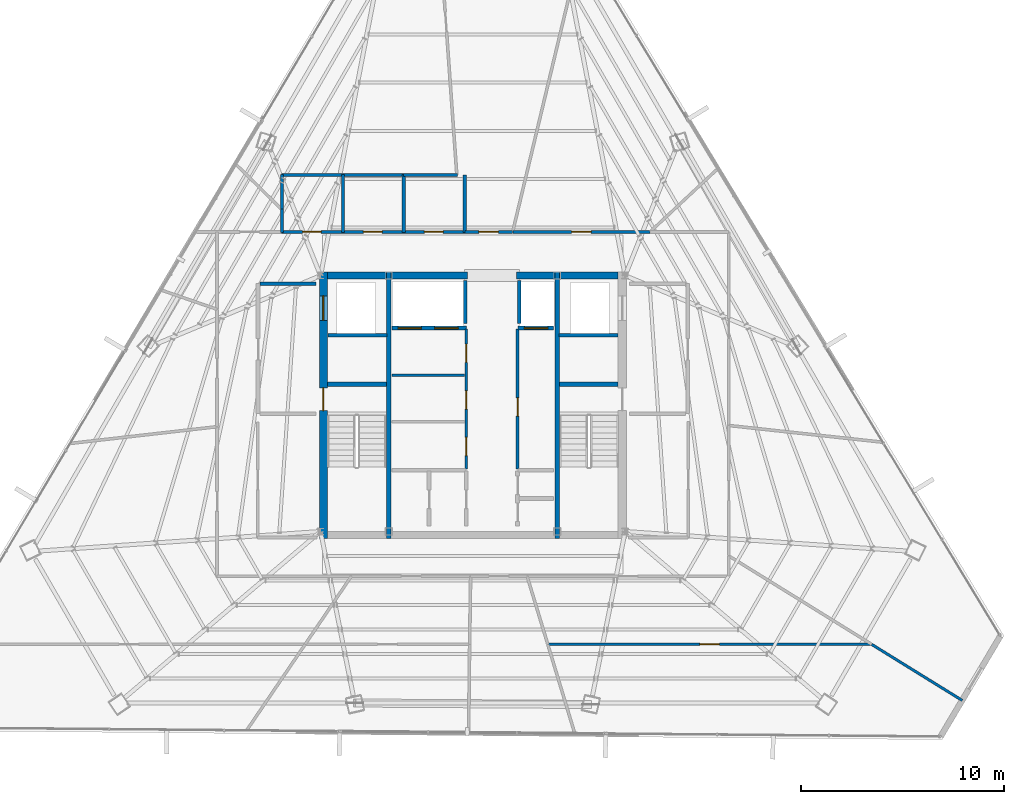
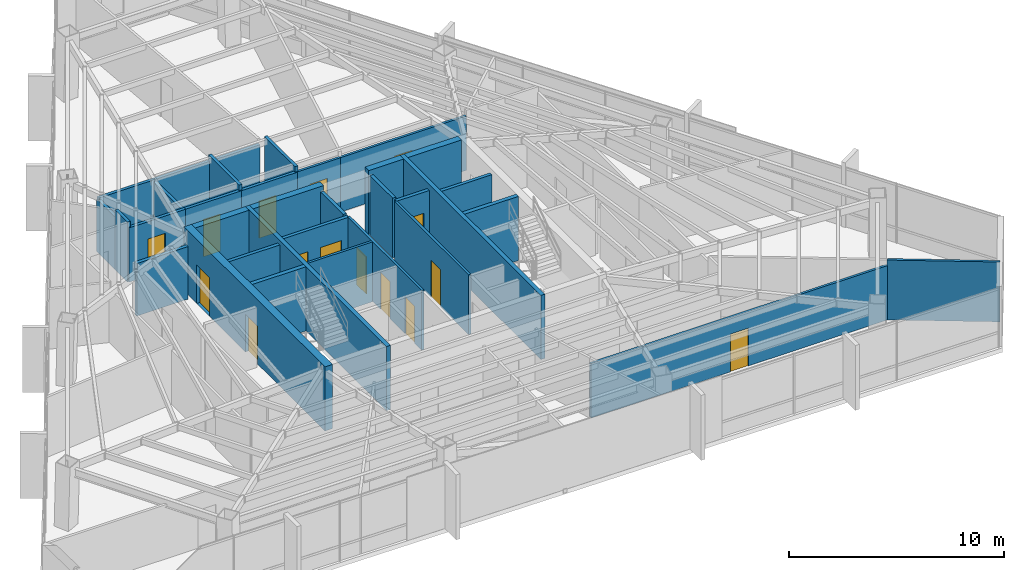
# One storey, part 45 of 49: 34 walls, 15 doors, 15 openings.
"""IFC4 building model written with IfcOpenShell, lengths in metres."""

import ifcopenshell
import ifcopenshell.guid

model = None  # the IFC model being written
_history = None  # IfcOwnerHistory: only IFC2X3 demands one
_inside = {}  # id of a spatial element -> (the spatial element, [elements in it])
_under = {}  # id of a project, library or spatial element -> (it, [spatial elements below it])
_declared = {}  # id of a project -> (the project, [libraries it declares])
_typed = {}  # id of a type object -> (the type object, [elements of that type])
_made_of = {}  # id of a material, layer set ... -> (it, [elements and type objects made of it])


def new_model(schema):
    """Start an empty IFC model of exactly this schema.

    Asked for "IFC4X3", IfcOpenShell would pick the latest addendum, in which some entities
    have other attributes; the version numbers below select the first issue.
    IFC2X3 requires an IfcOwnerHistory on every rooted entity: one is made here for all.
    """
    global model, _history
    if schema == "IFC4X3":
        model = ifcopenshell.file(schema_version=(4, 3, 0, 0))
    else:
        model = ifcopenshell.file(schema=schema)
    _inside.clear()
    _under.clear()
    _declared.clear()
    _typed.clear()
    _made_of.clear()
    _history = None
    if model.schema == "IFC2X3":
        org = make("IfcOrganization", Name="unknown")
        user = make(
            "IfcPersonAndOrganization",
            ThePerson=make("IfcPerson", FamilyName="unknown"),
            TheOrganization=org,
        )
        app = make(
            "IfcApplication",
            ApplicationDeveloper=org,
            Version="unknown",
            ApplicationFullName="unknown",
            ApplicationIdentifier="unknown",
        )
        _history = make(
            "IfcOwnerHistory",
            OwningUser=user,
            OwningApplication=app,
            ChangeAction="ADDED",
            CreationDate=0,
        )
    return model


def make(cls, **values):
    """One entity of the class cls with the attributes given. An attribute that is None is left unset."""
    return model.create_entity(
        cls, **{name: value for name, value in values.items() if value is not None}
    )


def rooted(cls, **values):
    """An entity with a GlobalId (a new one), such as an element, a storey or a relation."""
    return make(cls, GlobalId=ifcopenshell.guid.new(), OwnerHistory=_history, **values)


def si_unit(unit_type, name, prefix=None):
    """IfcSIUnit, for example si_unit("LENGTHUNIT", "METRE", prefix="MILLI")."""
    return make("IfcSIUnit", UnitType=unit_type, Prefix=prefix, Name=name)


def assignment(units):
    """IfcUnitAssignment: the units of a project."""
    return None if units is None else make("IfcUnitAssignment", Units=units)


def point(xyz):
    """IfcCartesianPoint."""
    return None if xyz is None else make("IfcCartesianPoint", Coordinates=xyz)


def direction(xyz):
    """IfcDirection."""
    return None if xyz is None else make("IfcDirection", DirectionRatios=xyz)


def frame(location, z_axis=None, x_axis=None):
    """IfcAxis2Placement3D, a coordinate frame: its origin and axes. An axis left out is left unset."""
    return make(
        "IfcAxis2Placement3D",
        Location=point(location),
        Axis=direction(z_axis),
        RefDirection=direction(x_axis),
    )


def frame_2d(location, x_axis=None):
    """IfcAxis2Placement2D, a coordinate frame in the plane: its origin and x axis."""
    return make(
        "IfcAxis2Placement2D", Location=point(location), RefDirection=direction(x_axis)
    )


def origin():
    """The frame at (0, 0, 0) with its axes left unset."""
    return frame((0.0, 0.0, 0.0))


def place(relative_to, where):
    """IfcLocalPlacement: puts the frame where relative to a parent placement (None: the world)."""
    return make(
        "IfcLocalPlacement", PlacementRelTo=relative_to, RelativePlacement=where
    )


def context(
    kind, dimensions, precision=None, world=None, true_north=None, identifier=None
):
    """IfcGeometricRepresentationContext, for example the 3D "Model" context."""
    return make(
        "IfcGeometricRepresentationContext",
        ContextIdentifier=identifier,
        ContextType=kind,
        CoordinateSpaceDimension=dimensions,
        Precision=precision,
        WorldCoordinateSystem=world,
        TrueNorth=true_north,
    )


def subcontext(parent, identifier, kind, view, scale=None):
    """IfcGeometricRepresentationSubContext, for example "Body" below "Model"."""
    return make(
        "IfcGeometricRepresentationSubContext",
        ContextIdentifier=identifier,
        ContextType=kind,
        ParentContext=parent,
        TargetScale=scale,
        TargetView=view,
    )


def project(units=None, contexts=None):
    """IfcProject with its units and contexts."""
    return rooted(
        "IfcProject",
        Name="project",
        RepresentationContexts=contexts,
        UnitsInContext=assignment(units),
    )


def spatial(cls, under=None, at=None, **own):
    """A site, building, storey or space (cls), placed at a placement, below another one or the project."""
    s = rooted(cls, ObjectPlacement=at, **own)
    if under is not None:
        _under.setdefault(under.id(), (under, []))[1].append(s)
    return s


def profile(cls, at=None, kind="AREA", **sizes):
    """A parametric profile (cls). Its sizes go by their IFC names, for example OverallWidth=200.0."""
    return make(cls, ProfileType=kind, Position=at, **sizes)


def rectangle(**sizes):
    """IfcRectangleProfileDef."""
    return profile("IfcRectangleProfileDef", **sizes)


def extrude(swept, where, along, depth):
    """IfcExtrudedAreaSolid: the profile swept, set in the frame where, extruded along a direction by depth."""
    return make(
        "IfcExtrudedAreaSolid",
        SweptArea=swept,
        Position=where,
        ExtrudedDirection=direction(along),
        Depth=depth,
    )


def shape(context_of_items, identifier, shape_type, items):
    """IfcShapeRepresentation: the items that make up one representation, for example the "Body"."""
    return make(
        "IfcShapeRepresentation",
        ContextOfItems=context_of_items,
        RepresentationIdentifier=identifier,
        RepresentationType=shape_type,
        Items=items,
    )


def material(Name=None, Category=None):
    """IfcMaterial."""
    return make("IfcMaterial", Name=Name, Category=Category)


def layer(
    of_material, thickness, ventilated=None, Name=None, Category=None, Priority=None
):
    """IfcMaterialLayer: one layer of a wall or slab, of a material (None: an air gap)."""
    return make(
        "IfcMaterialLayer",
        Material=of_material,
        LayerThickness=thickness,
        IsVentilated=ventilated,
        Name=Name,
        Category=Category,
        Priority=Priority,
    )


def layer_set(layers, Name=None):
    """IfcMaterialLayerSet."""
    return make("IfcMaterialLayerSet", MaterialLayers=layers, LayerSetName=Name)


def made_of(thing, what):
    """Note that an element or type object is made of a material, layer set ...; save() writes the relation."""
    if what is not None:
        _made_of.setdefault(what.id(), (what, []))[1].append(thing)
    return thing


def type_object(cls, material=None, **own):
    """A type object (cls), such as IfcWallType, which elements share."""
    return made_of(rooted(cls, **own), material)


def element(
    cls,
    number,
    at=None,
    inside=None,
    cuts=None,
    type_object=None,
    material=None,
    context=None,
    identifier="Body",
    shape_type=None,
    held_by="IfcProductDefinitionShape",
    body=None,
    shapes=None,
    **own,
):
    """One element of the class cls, such as IfcWall. Its Tag is "e" and its number.

    at: its placement. inside: the storey or other place that contains it. cuts: it is an
    opening in that element (IfcRelVoidsElement). A single representation is given by context,
    identifier, shape_type and body (its items); several are given by shapes. held_by: the class
    of the entity that holds the representations. save() writes the other relations.
    """
    e = rooted(cls, Tag="e%d" % number, ObjectPlacement=at, **own)
    if body is not None:
        shapes = [shape(context, identifier, shape_type, body)]
    if shapes is not None:
        e.Representation = make(held_by, Representations=shapes)
    if inside is not None:
        _inside.setdefault(inside.id(), (inside, []))[1].append(e)
    if cuts is not None:
        rooted(
            "IfcRelVoidsElement", RelatingBuildingElement=cuts, RelatedOpeningElement=e
        )
    if type_object is not None:
        _typed.setdefault(type_object.id(), (type_object, []))[1].append(e)
    return made_of(e, material)


def fill(opening, filler):
    """IfcRelFillsElement: the door or window that sits in an opening."""
    return rooted(
        "IfcRelFillsElement",
        RelatingOpeningElement=opening,
        RelatedBuildingElement=filler,
    )


def aggregate(whole, parts):
    """IfcRelAggregates: a whole, such as a stair, and the parts it consists of."""
    return rooted("IfcRelAggregates", RelatingObject=whole, RelatedObjects=parts)


def save(model, path):
    """Write the relations noted so far, then the file.

    IfcRelAggregates (storeys below a building ...), IfcRelContainedInSpatialStructure (elements
    in a storey), IfcRelDefinesByType, IfcRelAssociatesMaterial and IfcRelDeclares: one each for
    every whole, place, type object, material and project.
    """
    for whole, parts in _under.values():
        aggregate(whole, parts)
    for where, things in _inside.values():
        rooted(
            "IfcRelContainedInSpatialStructure",
            RelatedElements=things,
            RelatingStructure=where,
        )
    for kind, things in _typed.values():
        rooted("IfcRelDefinesByType", RelatedObjects=things, RelatingType=kind)
    for what, things in _made_of.values():
        rooted("IfcRelAssociatesMaterial", RelatedObjects=things, RelatingMaterial=what)
    for by, libraries in _declared.values():
        rooted("IfcRelDeclares", RelatingContext=by, RelatedDefinitions=libraries)
    model.write(path)


model = new_model("IFC4")

# Units and contexts
model_context = context("Model", 3, precision=1e-05, world=origin(), true_north=direction((0.0, 1.0)))
body_context = subcontext(model_context, "Body", "Model", "MODEL_VIEW")
ifc_project = project(units=[si_unit("LENGTHUNIT", "METRE"), si_unit("AREAUNIT", "SQUARE_METRE"), si_unit("VOLUMEUNIT", "CUBIC_METRE"), si_unit("PLANEANGLEUNIT", "RADIAN"), si_unit("MASSUNIT", "GRAM", prefix="KILO")], contexts=[model_context])

# Site, building, storey
site_placement = place(None, origin())
site = spatial("IfcSite", under=ifc_project, at=site_placement, CompositionType="ELEMENT")
building_placement = place(site_placement, origin())
building = spatial("IfcBuilding", under=site, at=building_placement, Name="Caelisora Broadcast Tower", CompositionType="ELEMENT")
storey_placement = place(building_placement, frame((0.0, 0.0, 233.5)))
storey = spatial("IfcBuildingStorey", under=building, at=storey_placement, Name="L61", CompositionType="ELEMENT", Elevation=233.5)

# Wall, openings, doors
ifc_material_1 = material(Name="Concrete 40 MPa (AS 3600 N40)", Category="concrete")
ifc_layer_1 = layer(ifc_material_1, 0.39990234375, Name="Concrete 40 MPa (AS 3600 N40)")
ifc_layer_set_1 = layer_set([ifc_layer_1], Name="Concrete 40 MPa (AS 3600 N40)")
wall_type_1 = type_object("IfcWallType", Name="CW3", PredefinedType="SHEAR", material=ifc_layer_set_1)
wall_1_placement = place(storey_placement, frame((30.639892578125, 17.050048828125, 0.0), z_axis=(0.0, 0.0, 1.0), x_axis=(0.0, 1.0, 0.0)))
wall_1 = element("IfcWall", 1, at=wall_1_placement, inside=storey, type_object=wall_type_1, Name="L61 core shear wall CW3", PredefinedType="SHEAR", context=body_context, shape_type="SweptSolid", body=[
    extrude(rectangle(XDim=13.125, YDim=0.39990234375, at=frame_2d((6.5625, 0.0))), origin(), (0.0, 0.0, 1.0), 3.64990234375),
])
opening_1_placement = place(wall_1_placement, frame((6.300048828125, 0.0, 0.0)))
opening_1 = element("IfcOpeningElement", 2, at=opening_1_placement, cuts=wall_1, Name="Opening FD04", PredefinedType="OPENING", context=body_context, shape_type="SweptSolid", body=[
    extrude(rectangle(XDim=1.1201171875, YDim=2.14990234375, at=frame_2d((0.56005859375, 1.074951171875))), frame((0.0, 0.2119140625, 0.0), z_axis=(0.0, -1.0, 0.0), x_axis=(1.0, 0.0, 0.0)), (0.0, 0.0, 1.0), 0.423828125),
])
opening_2_placement = place(wall_1_placement, frame((10.75, 0.0, 0.0)))
opening_2 = element("IfcOpeningElement", 3, at=opening_2_placement, cuts=wall_1, Name="Opening LD04", PredefinedType="OPENING", context=body_context, shape_type="SweptSolid", body=[
    extrude(rectangle(XDim=1.199951171875, YDim=2.199951171875, at=frame_2d((0.60009765625, 1.10009765625))), frame((0.0, 0.2119140625, 0.0), z_axis=(0.0, -1.0, 0.0), x_axis=(1.0, 0.0, 0.0)), (0.0, 0.0, 1.0), 0.423828125),
])
ifc_material_2 = material(Name="Pressurised Fire-Isolated Stair Door", Category="steel")
door_type_1 = type_object("IfcDoorType", Name="FD04", OperationType="NOTDEFINED", PredefinedType="DOOR", material=ifc_material_2)
door_1_placement = place(opening_1_placement, origin())
door_1 = element("IfcDoor", 4, at=door_1_placement, inside=storey, type_object=door_type_1, Name="L61 door FD04 (L61-DR-ST1)", OperationType="SINGLE_SWING_LEFT", OverallHeight=2.14990234375, OverallWidth=1.1201171875, PredefinedType="DOOR", context=body_context, shape_type="SweptSolid", body=[
    extrude(rectangle(XDim=1.1201171875, YDim=2.14990234375, at=frame_2d((0.56005859375, 1.074951171875))), frame((0.0, 0.02490234375, 0.0), z_axis=(0.0, -1.0, 0.0), x_axis=(1.0, 0.0, 0.0)), (0.0, 0.0, 1.0), 0.050048828125),
])
fill(opening_1, door_1)
ifc_material_3 = material(Name="Emergency Firefighting Lift Sliding Landing Door", Category="steel")
door_type_2 = type_object("IfcDoorType", Name="LD04", OperationType="NOTDEFINED", PredefinedType="DOOR", material=ifc_material_3)
door_2_placement = place(opening_2_placement, origin())
door_2 = element("IfcDoor", 5, at=door_2_placement, inside=storey, type_object=door_type_2, Name="L61 door LD04 (L61-LD-FFL1)", OperationType="SLIDING_TO_LEFT", OverallHeight=2.199951171875, OverallWidth=1.199951171875, PredefinedType="DOOR", context=body_context, shape_type="SweptSolid", body=[
    extrude(rectangle(XDim=1.199951171875, YDim=2.199951171875, at=frame_2d((0.60009765625, 1.10009765625))), frame((0.0, 0.02490234375, 0.0), z_axis=(0.0, -1.0, 0.0), x_axis=(1.0, 0.0, 0.0)), (0.0, 0.0, 1.0), 0.050048828125),
])
fill(opening_2, door_2)

# Walls
ifc_layer_2 = layer(ifc_material_1, 0.35009765625, Name="Concrete 40 MPa (AS 3600 N40)")
ifc_layer_set_2 = layer_set([ifc_layer_2], Name="Concrete 40 MPa (AS 3600 N40)")
wall_type_2 = type_object("IfcWallType", Name="CW6", PredefinedType="SHEAR", material=ifc_layer_set_2)
wall_2_placement = place(storey_placement, frame((30.840087890625, 30.0, 0.0), z_axis=(0.0, 0.0, 1.0), x_axis=(1.0, 0.0, 0.0)))
element("IfcWall", 6, at=wall_2_placement, inside=storey, type_object=wall_type_2, Name="L61 core shear wall CW6", PredefinedType="SHEAR", context=body_context, shape_type="SweptSolid", body=[
    extrude(rectangle(XDim=2.89990234375, YDim=0.35009765625, at=frame_2d((1.449951171875, 0.0))), origin(), (0.0, 0.0, 1.0), 3.64990234375),
])
wall_3_placement = place(storey_placement, frame((33.9599609375, 30.0, 0.0), z_axis=(0.0, 0.0, 1.0), x_axis=(1.0, 0.0, 0.0)))
element("IfcWall", 7, at=wall_3_placement, inside=storey, type_object=wall_type_2, Name="L61 core shear wall CW6", PredefinedType="SHEAR", context=body_context, shape_type="SweptSolid", body=[
    extrude(rectangle(XDim=3.780029296875, YDim=0.35009765625, at=frame_2d((1.89013671875, 0.0))), origin(), (0.0, 0.0, 1.0), 3.64990234375),
])
wall_4_placement = place(storey_placement, frame((40.159912109375, 30.0, 0.0), z_axis=(0.0, 0.0, 1.0), x_axis=(1.0, 0.0, 0.0)))
element("IfcWall", 8, at=wall_4_placement, inside=storey, type_object=wall_type_2, Name="L61 core shear wall CW6", PredefinedType="SHEAR", context=body_context, shape_type="SweptSolid", body=[
    extrude(rectangle(XDim=1.880126953125, YDim=0.35009765625, at=frame_2d((0.93994140625, 0.0))), origin(), (0.0, 0.0, 1.0), 3.64990234375),
])
wall_5_placement = place(storey_placement, frame((42.260009765625, 30.0, 0.0), z_axis=(0.0, 0.0, 1.0), x_axis=(1.0, 0.0, 0.0)))
element("IfcWall", 9, at=wall_5_placement, inside=storey, type_object=wall_type_2, Name="L61 core shear wall CW6", PredefinedType="SHEAR", context=body_context, shape_type="SweptSolid", body=[
    extrude(rectangle(XDim=2.89990234375, YDim=0.35009765625, at=frame_2d((1.449951171875, 0.0))), origin(), (0.0, 0.0, 1.0), 3.64990234375),
])
ifc_material_4 = material(Name="Concrete 50 MPa (AS 3600 S50)", Category="concrete")
ifc_layer_3 = layer(ifc_material_4, 0.219970703125, Name="Concrete 50 MPa (AS 3600 S50)")
ifc_layer_set_3 = layer_set([ifc_layer_3], Name="Concrete 50 MPa (AS 3600 S50)")
wall_type_3 = type_object("IfcWallType", Name="CW7", PredefinedType="SHEAR", material=ifc_layer_set_3)
for number, where, z_axis, x_axis, name in (
    (10, (33.85009765625, 17.050048828125, 0.0), (0.0, 0.0, 1.0), (0.0, 1.0, 0.0), "L61 core shear wall CW7"),
    (11, (42.14990234375, 17.050048828125, 0.0), (0.0, 0.0, 1.0), (0.0, 1.0, 0.0), "L61 core shear wall CW7"),
):
    element("IfcWall", number, at=place(storey_placement, frame(where, z_axis=z_axis, x_axis=x_axis)), inside=storey, type_object=wall_type_3, Name=name, PredefinedType="SHEAR", context=body_context, shape_type="SweptSolid", body=[
        extrude(rectangle(XDim=13.125, YDim=0.219970703125, at=frame_2d((6.5625, 0.0))), origin(), (0.0, 0.0, 1.0), 3.64990234375),
    ])
for number, where, z_axis, x_axis, name in (
    (12, (30.840087890625, 24.639892578125, 0.0), (0.0, 0.0, 1.0), (1.0, 0.0, 0.0), "L61 core shear wall CW7"),
    (13, (42.260009765625, 24.639892578125, 0.0), (0.0, 0.0, 1.0), (1.0, 0.0, 0.0), "L61 core shear wall CW7"),
):
    element("IfcWall", number, at=place(storey_placement, frame(where, z_axis=z_axis, x_axis=x_axis)), inside=storey, type_object=wall_type_3, Name=name, PredefinedType="SHEAR", context=body_context, shape_type="SweptSolid", body=[
        extrude(rectangle(XDim=2.89990234375, YDim=0.219970703125, at=frame_2d((1.449951171875, 0.0))), origin(), (0.0, 0.0, 1.0), 3.64990234375),
    ])

# Wall, openings, doors
ifc_material_5 = material(Name="Fire-Rated Gypsum Shaft and Compartment Wall", Category="gypsum")
ifc_layer_4 = layer(ifc_material_5, 0.179931640625, Name="Fire-Rated Gypsum Shaft and Compartment Wall")
ifc_layer_set_4 = layer_set([ifc_layer_4], Name="Fire-Rated Gypsum Shaft and Compartment Wall")
wall_type_4 = type_object("IfcWallType", Name="PW2", PredefinedType="PARTITIONING", material=ifc_layer_set_4)
wall_6_placement = place(storey_placement, frame((34.02001953125, 27.419921875, 0.0), z_axis=(0.0, 0.0, 1.0), x_axis=(1.0, 0.0, 0.0)))
wall_6 = element("IfcWall", 14, at=wall_6_placement, inside=storey, type_object=wall_type_4, Name="L61 fire compartment wall PW2", PredefinedType="PARTITIONING", context=body_context, shape_type="SweptSolid", body=[
    extrude(rectangle(XDim=3.659912109375, YDim=0.179931640625, at=frame_2d((1.830078125, 0.0))), origin(), (0.0, 0.0, 1.0), 3.39990234375),
])
opening_3_placement = place(wall_6_placement, frame((0.300048828125, 0.0, 0.0)))
opening_3 = element("IfcOpeningElement", 15, at=opening_3_placement, cuts=wall_6, Name="Opening LD02", PredefinedType="OPENING", context=body_context, shape_type="SweptSolid", body=[
    extrude(rectangle(XDim=1.14990234375, YDim=2.199951171875, at=frame_2d((0.574951171875, 1.10009765625))), frame((0.0, 0.10205078125, 0.0), z_axis=(0.0, -1.0, 0.0), x_axis=(1.0, 0.0, 0.0)), (0.0, 0.0, 1.0), 0.203857421875),
])
opening_4_placement = place(wall_6_placement, frame((2.10009765625, 0.0, 0.0)))
opening_4 = element("IfcOpeningElement", 16, at=opening_4_placement, cuts=wall_6, Name="Opening LD02", PredefinedType="OPENING", context=body_context, shape_type="SweptSolid", body=[
    extrude(rectangle(XDim=1.14990234375, YDim=2.199951171875, at=frame_2d((0.574951171875, 1.10009765625))), frame((0.0, 0.10205078125, 0.0), z_axis=(0.0, -1.0, 0.0), x_axis=(1.0, 0.0, 0.0)), (0.0, 0.0, 1.0), 0.203857421875),
])
ifc_material_6 = material(Name="High-Speed Express Lift Sliding Landing Door", Category="steel")
door_type_3 = type_object("IfcDoorType", Name="LD02", OperationType="NOTDEFINED", PredefinedType="DOOR", material=ifc_material_6)
door_3_placement = place(opening_3_placement, origin())
door_3 = element("IfcDoor", 17, at=door_3_placement, inside=storey, type_object=door_type_3, Name="L61 door LD02 (L61-LD-PLH1)", OperationType="SLIDING_TO_RIGHT", OverallHeight=2.199951171875, OverallWidth=1.14990234375, PredefinedType="DOOR", context=body_context, shape_type="SweptSolid", body=[
    extrude(rectangle(XDim=1.14990234375, YDim=2.199951171875, at=frame_2d((0.574951171875, 1.10009765625))), frame((0.0, 0.02490234375, 0.0), z_axis=(0.0, -1.0, 0.0), x_axis=(1.0, 0.0, 0.0)), (0.0, 0.0, 1.0), 0.050048828125),
])
fill(opening_3, door_3)
door_4_placement = place(opening_4_placement, origin())
door_4 = element("IfcDoor", 18, at=door_4_placement, inside=storey, type_object=door_type_3, Name="L61 door LD02 (L61-LD-PLH2)", OperationType="SLIDING_TO_LEFT", OverallHeight=2.199951171875, OverallWidth=1.14990234375, PredefinedType="DOOR", context=body_context, shape_type="SweptSolid", body=[
    extrude(rectangle(XDim=1.14990234375, YDim=2.199951171875, at=frame_2d((0.574951171875, 1.10009765625))), frame((0.0, 0.02490234375, 0.0), z_axis=(0.0, -1.0, 0.0), x_axis=(1.0, 0.0, 0.0)), (0.0, 0.0, 1.0), 0.050048828125),
])
fill(opening_4, door_4)

# Wall, opening, door
wall_7_placement = place(storey_placement, frame((40.219970703125, 27.419921875, 0.0), z_axis=(0.0, 0.0, 1.0), x_axis=(1.0, 0.0, 0.0)))
wall_7 = element("IfcWall", 19, at=wall_7_placement, inside=storey, type_object=wall_type_4, Name="L61 fire compartment wall PW2", PredefinedType="PARTITIONING", context=body_context, shape_type="SweptSolid", body=[
    extrude(rectangle(XDim=1.760009765625, YDim=0.179931640625, at=frame_2d((0.8798828125, 0.0))), origin(), (0.0, 0.0, 1.0), 3.39990234375),
])
opening_5_placement = place(wall_7_placement, frame((0.320068359375, 0.0, 0.0)))
opening_5 = element("IfcOpeningElement", 20, at=opening_5_placement, cuts=wall_7, Name="Opening LD02", PredefinedType="OPENING", context=body_context, shape_type="SweptSolid", body=[
    extrude(rectangle(XDim=1.14990234375, YDim=2.199951171875, at=frame_2d((0.574951171875, 1.10009765625))), frame((0.0, 0.10205078125, 0.0), z_axis=(0.0, -1.0, 0.0), x_axis=(1.0, 0.0, 0.0)), (0.0, 0.0, 1.0), 0.203857421875),
])
door_5_placement = place(opening_5_placement, origin())
door_5 = element("IfcDoor", 21, at=door_5_placement, inside=storey, type_object=door_type_3, Name="L61 door LD02 (L61-LD-PLH3)", OperationType="SLIDING_TO_RIGHT", OverallHeight=2.199951171875, OverallWidth=1.14990234375, PredefinedType="DOOR", context=body_context, shape_type="SweptSolid", body=[
    extrude(rectangle(XDim=1.14990234375, YDim=2.199951171875, at=frame_2d((0.574951171875, 1.10009765625))), frame((0.0, 0.02490234375, 0.0), z_axis=(0.0, -1.0, 0.0), x_axis=(1.0, 0.0, 0.0)), (0.0, 0.0, 1.0), 0.050048828125),
])
fill(opening_5, door_5)

# Walls
for number, where, z_axis, x_axis, name in (
    (22, (37.6201171875, 27.639892578125, 0.0), (0.0, 0.0, 1.0), (0.0, 1.0, 0.0), "L61 fire compartment wall PW2"),
    (23, (40.280029296875, 27.639892578125, 0.0), (0.0, 0.0, 1.0), (0.0, 1.0, 0.0), "L61 fire compartment wall PW2"),
):
    element("IfcWall", number, at=place(storey_placement, frame(where, z_axis=z_axis, x_axis=x_axis)), inside=storey, type_object=wall_type_4, Name=name, PredefinedType="PARTITIONING", context=body_context, shape_type="SweptSolid", body=[
        extrude(rectangle(XDim=2.110107421875, YDim=0.179931640625, at=frame_2d((1.05517578125, 0.0))), origin(), (0.0, 0.0, 1.0), 3.39990234375),
    ])
wall_8_placement = place(storey_placement, frame((27.52001953125, 29.60009765625, 0.0), z_axis=(0.0, 0.0, 1.0), x_axis=(1.0, 0.0, 0.0)))
element("IfcWall", 24, at=wall_8_placement, inside=storey, type_object=wall_type_4, Name="L61 fire compartment wall PW2", PredefinedType="PARTITIONING", context=body_context, shape_type="SweptSolid", body=[
    extrude(rectangle(XDim=2.760009765625, YDim=0.179931640625, at=frame_2d((1.3798828125, 0.0))), origin(), (0.0, 0.0, 1.0), 2.985107421875),
])
for number, where, z_axis, x_axis, name in (
    (25, (30.860107421875, 27.070068359375, 0.0), (0.0, 0.0, 1.0), (1.0, 0.0, 0.0), "L61 fire compartment wall PW2"),
    (26, (42.239990234375, 27.070068359375, 0.0), (0.0, 0.0, 1.0), (1.0, 0.0, 0.0), "L61 fire compartment wall PW2"),
):
    element("IfcWall", number, at=place(storey_placement, frame(where, z_axis=z_axis, x_axis=x_axis)), inside=storey, type_object=wall_type_4, Name=name, PredefinedType="PARTITIONING", context=body_context, shape_type="SweptSolid", body=[
        extrude(rectangle(XDim=2.89990234375, YDim=0.179931640625, at=frame_2d((1.449951171875, 0.0))), origin(), (0.0, 0.0, 1.0), 3.39990234375),
    ])
ifc_material_7 = material(Name="Acoustic Steel-Stud Plasterboard Partition", Category="gypsum")
ifc_layer_5 = layer(ifc_material_7, 0.1298828125, Name="Acoustic Steel-Stud Plasterboard Partition")
ifc_layer_set_5 = layer_set([ifc_layer_5], Name="Acoustic Steel-Stud Plasterboard Partition")
wall_type_5 = type_object("IfcWallType", Name="PW3", PredefinedType="PARTITIONING", material=ifc_layer_set_5)
wall_9_placement = place(storey_placement, frame((34.02001953125, 25.10009765625, 0.0), z_axis=(0.0, 0.0, 1.0), x_axis=(1.0, 0.0, 0.0)))
element("IfcWall", 27, at=wall_9_placement, inside=storey, type_object=wall_type_5, Name="L61 internal partition PW3", PredefinedType="PARTITIONING", context=body_context, shape_type="SweptSolid", body=[
    extrude(rectangle(XDim=3.580078125, YDim=0.1298828125, at=frame_2d((1.7900390625, 0.0))), origin(), (0.0, 0.0, 1.0), 3.39990234375),
])

# Wall, openings, doors
wall_10_placement = place(storey_placement, frame((37.679931640625, 20.47998046875, 0.0), z_axis=(0.0, 0.0, 1.0), x_axis=(0.0, 1.0, 0.0)))
wall_10 = element("IfcWall", 28, at=wall_10_placement, inside=storey, type_object=wall_type_5, Name="L61 internal partition PW3", PredefinedType="PARTITIONING", context=body_context, shape_type="SweptSolid", body=[
    extrude(rectangle(XDim=6.89990234375, YDim=0.1298828125, at=frame_2d((3.449951171875, 0.0))), origin(), (0.0, 0.0, 1.0), 3.39990234375),
])
opening_6_placement = place(wall_10_placement, frame((0.64990234375, 0.0, 0.0)))
opening_6 = element("IfcOpeningElement", 29, at=opening_6_placement, cuts=wall_10, Name="Opening FD03", PredefinedType="OPENING", context=body_context, shape_type="SweptSolid", body=[
    extrude(rectangle(XDim=0.89990234375, YDim=2.10009765625, at=frame_2d((0.449951171875, 1.050048828125))), frame((0.0, 0.076904296875, 0.0), z_axis=(0.0, -1.0, 0.0), x_axis=(1.0, 0.0, 0.0)), (0.0, 0.0, 1.0), 0.15380859375),
])
opening_7_placement = place(wall_10_placement, frame((2.949951171875, 0.0, 0.0)))
opening_7 = element("IfcOpeningElement", 30, at=opening_7_placement, cuts=wall_10, Name="Opening FD03", PredefinedType="OPENING", context=body_context, shape_type="SweptSolid", body=[
    extrude(rectangle(XDim=0.89990234375, YDim=2.10009765625, at=frame_2d((0.449951171875, 1.050048828125))), frame((0.0, 0.076904296875, 0.0), z_axis=(0.0, -1.0, 0.0), x_axis=(1.0, 0.0, 0.0)), (0.0, 0.0, 1.0), 0.15380859375),
])
opening_8_placement = place(wall_10_placement, frame((5.25, 0.0, 0.0)))
opening_8 = element("IfcOpeningElement", 31, at=opening_8_placement, cuts=wall_10, Name="Opening FD03", PredefinedType="OPENING", context=body_context, shape_type="SweptSolid", body=[
    extrude(rectangle(XDim=0.89990234375, YDim=2.10009765625, at=frame_2d((0.449951171875, 1.050048828125))), frame((0.0, 0.076904296875, 0.0), z_axis=(0.0, -1.0, 0.0), x_axis=(1.0, 0.0, 0.0)), (0.0, 0.0, 1.0), 0.15380859375),
])
ifc_material_8 = material(Name="Single-Leaf Steel Riser Fire Access Door", Category="steel")
door_type_4 = type_object("IfcDoorType", Name="FD03", OperationType="NOTDEFINED", PredefinedType="DOOR", material=ifc_material_8)
door_6_placement = place(opening_6_placement, origin())
door_6 = element("IfcDoor", 32, at=door_6_placement, inside=storey, type_object=door_type_4, Name="L61 door FD03 (L61-DR-P13D1)", OperationType="SINGLE_SWING_LEFT", OverallHeight=2.10009765625, OverallWidth=0.89990234375, PredefinedType="DOOR", context=body_context, shape_type="SweptSolid", body=[
    extrude(rectangle(XDim=0.89990234375, YDim=2.10009765625, at=frame_2d((0.449951171875, 1.050048828125))), frame((0.0, 0.02490234375, 0.0), z_axis=(0.0, -1.0, 0.0), x_axis=(1.0, 0.0, 0.0)), (0.0, 0.0, 1.0), 0.050048828125),
])
fill(opening_6, door_6)
door_7_placement = place(opening_7_placement, origin())
door_7 = element("IfcDoor", 33, at=door_7_placement, inside=storey, type_object=door_type_4, Name="L61 door FD03 (L61-DR-P13D2)", OperationType="SINGLE_SWING_RIGHT", OverallHeight=2.10009765625, OverallWidth=0.89990234375, PredefinedType="DOOR", context=body_context, shape_type="SweptSolid", body=[
    extrude(rectangle(XDim=0.89990234375, YDim=2.10009765625, at=frame_2d((0.449951171875, 1.050048828125))), frame((0.0, 0.02490234375, 0.0), z_axis=(0.0, -1.0, 0.0), x_axis=(1.0, 0.0, 0.0)), (0.0, 0.0, 1.0), 0.050048828125),
])
fill(opening_7, door_7)
door_8_placement = place(opening_8_placement, origin())
door_8 = element("IfcDoor", 34, at=door_8_placement, inside=storey, type_object=door_type_4, Name="L61 door FD03 (L61-DR-P13D3)", OperationType="SINGLE_SWING_LEFT", OverallHeight=2.10009765625, OverallWidth=0.89990234375, PredefinedType="DOOR", context=body_context, shape_type="SweptSolid", body=[
    extrude(rectangle(XDim=0.89990234375, YDim=2.10009765625, at=frame_2d((0.449951171875, 1.050048828125))), frame((0.0, 0.02490234375, 0.0), z_axis=(0.0, -1.0, 0.0), x_axis=(1.0, 0.0, 0.0)), (0.0, 0.0, 1.0), 0.050048828125),
])
fill(opening_8, door_8)

# Wall, opening, door
wall_11_placement = place(storey_placement, frame((40.199951171875, 20.47998046875, 0.0), z_axis=(0.0, 0.0, 1.0), x_axis=(0.0, 1.0, 0.0)))
wall_11 = element("IfcWall", 35, at=wall_11_placement, inside=storey, type_object=wall_type_5, Name="L61 internal partition PW3", PredefinedType="PARTITIONING", context=body_context, shape_type="SweptSolid", body=[
    extrude(rectangle(XDim=6.89990234375, YDim=0.1298828125, at=frame_2d((3.449951171875, 0.0))), origin(), (0.0, 0.0, 1.0), 3.39990234375),
])
opening_9_placement = place(wall_11_placement, frame((2.60009765625, 0.0, 0.0)))
opening_9 = element("IfcOpeningElement", 36, at=opening_9_placement, cuts=wall_11, Name="Opening FD03", PredefinedType="OPENING", context=body_context, shape_type="SweptSolid", body=[
    extrude(rectangle(XDim=0.89990234375, YDim=2.10009765625, at=frame_2d((0.449951171875, 1.050048828125))), frame((0.0, 0.076904296875, 0.0), z_axis=(0.0, -1.0, 0.0), x_axis=(1.0, 0.0, 0.0)), (0.0, 0.0, 1.0), 0.15380859375),
])
door_9_placement = place(opening_9_placement, origin())
door_9 = element("IfcDoor", 37, at=door_9_placement, inside=storey, type_object=door_type_4, Name="L61 door FD03 (L61-DR-P14D1)", OperationType="SINGLE_SWING_RIGHT", OverallHeight=2.10009765625, OverallWidth=0.89990234375, PredefinedType="DOOR", context=body_context, shape_type="SweptSolid", body=[
    extrude(rectangle(XDim=0.89990234375, YDim=2.10009765625, at=frame_2d((0.449951171875, 1.050048828125))), frame((0.0, 0.02490234375, 0.0), z_axis=(0.0, -1.0, 0.0), x_axis=(1.0, 0.0, 0.0)), (0.0, 0.0, 1.0), 0.050048828125),
])
fill(opening_9, door_9)

wall_12_placement = place(storey_placement, frame((41.695068359375, 11.840087890625, 0.0), z_axis=(0.0, 0.0, 1.0), x_axis=(1.0, 0.0, 0.0)))
wall_12 = element("IfcWall", 38, at=wall_12_placement, inside=storey, type_object=wall_type_5, Name="L61 internal partition PW3", PredefinedType="PARTITIONING", context=body_context, shape_type="SweptSolid", body=[
    extrude(rectangle(XDim=15.93994140625, YDim=0.1298828125, at=frame_2d((7.969970703125, 0.0))), origin(), (0.0, 0.0, 1.0), 3.0849609375),
])
opening_10_placement = place(wall_12_placement, frame((7.489990234375, 0.0, 0.0)))
opening_10 = element("IfcOpeningElement", 39, at=opening_10_placement, cuts=wall_12, Name="Opening D01", PredefinedType="OPENING", context=body_context, shape_type="SweptSolid", body=[
    extrude(rectangle(XDim=0.9599609375, YDim=2.14990234375, at=frame_2d((0.47998046875, 1.074951171875))), frame((0.0, 0.076904296875, 0.0), z_axis=(0.0, -1.0, 0.0), x_axis=(1.0, 0.0, 0.0)), (0.0, 0.0, 1.0), 0.15380859375),
])
ifc_material_9 = material(Name="Solid-Core Timber Acoustic Office Door", Category="wood")
door_type_5 = type_object("IfcDoorType", Name="D01", OperationType="NOTDEFINED", PredefinedType="DOOR", material=ifc_material_9)
door_10_placement = place(opening_10_placement, origin())
door_10 = element("IfcDoor", 40, at=door_10_placement, inside=storey, type_object=door_type_5, Name="L61 door D01 (L61-DR-P31D1)", OperationType="SINGLE_SWING_LEFT", OverallHeight=2.14990234375, OverallWidth=0.9599609375, PredefinedType="DOOR", context=body_context, shape_type="SweptSolid", body=[
    extrude(rectangle(XDim=0.9599609375, YDim=2.14990234375, at=frame_2d((0.47998046875, 1.074951171875))), frame((0.0, 0.02490234375, 0.0), z_axis=(0.0, -1.0, 0.0), x_axis=(1.0, 0.0, 0.0)), (0.0, 0.0, 1.0), 0.050048828125),
])
fill(opening_10, door_10)

wall_13_placement = place(storey_placement, frame((39.965087890625, 32.14990234375, 0.0), z_axis=(0.0, 0.0, 1.0), x_axis=(1.0, 0.0, 0.0)))
wall_13 = element("IfcWall", 41, at=wall_13_placement, inside=storey, type_object=wall_type_5, Name="L61 internal partition PW3", PredefinedType="PARTITIONING", context=body_context, shape_type="SweptSolid", body=[
    extrude(rectangle(XDim=6.75, YDim=0.1298828125, at=frame_2d((3.375, 0.0))), origin(), (0.0, 0.0, 1.0), 3.0849609375),
])
opening_11_placement = place(wall_13_placement, frame((2.89501953125, 0.0, 0.0)))
opening_11 = element("IfcOpeningElement", 42, at=opening_11_placement, cuts=wall_13, Name="Opening D01", PredefinedType="OPENING", context=body_context, shape_type="SweptSolid", body=[
    extrude(rectangle(XDim=0.9599609375, YDim=2.14990234375, at=frame_2d((0.47998046875, 1.074951171875))), frame((0.0, 0.076904296875, 0.0), z_axis=(0.0, -1.0, 0.0), x_axis=(1.0, 0.0, 0.0)), (0.0, 0.0, 1.0), 0.15380859375),
])
door_11_placement = place(opening_11_placement, origin())
door_11 = element("IfcDoor", 43, at=door_11_placement, inside=storey, type_object=door_type_5, Name="L61 door D01 (L61-DR-P43D1)", OperationType="SINGLE_SWING_LEFT", OverallHeight=2.14990234375, OverallWidth=0.9599609375, PredefinedType="DOOR", context=body_context, shape_type="SweptSolid", body=[
    extrude(rectangle(XDim=0.9599609375, YDim=2.14990234375, at=frame_2d((0.47998046875, 1.074951171875))), frame((0.0, 0.02490234375, 0.0), z_axis=(0.0, -1.0, 0.0), x_axis=(1.0, 0.0, 0.0)), (0.0, 0.0, 1.0), 0.050048828125),
])
fill(opening_11, door_11)

# Wall
wall_14_placement = place(storey_placement, frame((57.64404296875, 11.8369140625, 0.0), z_axis=(0.0, 0.0, 1.0), x_axis=(0.850365370952, -0.52619267943, 0.0)))
element("IfcWall", 44, at=wall_14_placement, inside=storey, type_object=wall_type_5, Name="L61 internal partition PW3", PredefinedType="PARTITIONING", context=body_context, shape_type="SweptSolid", body=[
    extrude(rectangle(XDim=5.242431640625, YDim=0.1298828125, at=frame_2d((2.62109375, 0.0))), origin(), (0.0, 0.0, 1.0), 3.39990234375),
])

# Wall, opening, door
wall_15_placement = place(storey_placement, frame((37.60498046875, 32.14990234375, 0.0), z_axis=(0.0, 0.0, 1.0), x_axis=(1.0, 0.0, 0.0)))
wall_15 = element("IfcWall", 45, at=wall_15_placement, inside=storey, type_object=wall_type_5, Name="L61 internal partition PW3", PredefinedType="PARTITIONING", context=body_context, shape_type="SweptSolid", body=[
    extrude(rectangle(XDim=2.35009765625, YDim=0.1298828125, at=frame_2d((1.175048828125, 0.0))), origin(), (0.0, 0.0, 1.0), 3.0849609375),
])
opening_12_placement = place(wall_15_placement, frame((0.695068359375, 0.0, 0.0)))
opening_12 = element("IfcOpeningElement", 46, at=opening_12_placement, cuts=wall_15, Name="Opening D01", PredefinedType="OPENING", context=body_context, shape_type="SweptSolid", body=[
    extrude(rectangle(XDim=0.9599609375, YDim=2.14990234375, at=frame_2d((0.47998046875, 1.074951171875))), frame((0.0, 0.076904296875, 0.0), z_axis=(0.0, -1.0, 0.0), x_axis=(1.0, 0.0, 0.0)), (0.0, 0.0, 1.0), 0.15380859375),
])
door_12_placement = place(opening_12_placement, origin())
door_12 = element("IfcDoor", 47, at=door_12_placement, inside=storey, type_object=door_type_5, Name="L61 door D01 (L61-DR-P67D1)", OperationType="SINGLE_SWING_LEFT", OverallHeight=2.14990234375, OverallWidth=0.9599609375, PredefinedType="DOOR", context=body_context, shape_type="SweptSolid", body=[
    extrude(rectangle(XDim=0.9599609375, YDim=2.14990234375, at=frame_2d((0.47998046875, 1.074951171875))), frame((0.0, 0.02490234375, 0.0), z_axis=(0.0, -1.0, 0.0), x_axis=(1.0, 0.0, 0.0)), (0.0, 0.0, 1.0), 0.050048828125),
])
fill(opening_12, door_12)

ifc_material_10 = material(Name="Moisture-Resistant Wet Plumbing Service Wall", Category="gypsum")
ifc_layer_6 = layer(ifc_material_10, 0.159912109375, Name="Moisture-Resistant Wet Plumbing Service Wall")
ifc_layer_set_6 = layer_set([ifc_layer_6], Name="Moisture-Resistant Wet Plumbing Service Wall")
wall_type_6 = type_object("IfcWallType", Name="PW4", PredefinedType="PLUMBINGWALL", material=ifc_layer_set_6)
wall_16_placement = place(storey_placement, frame((28.574951171875, 32.14990234375, 0.0), z_axis=(0.0, 0.0, 1.0), x_axis=(1.0, 0.0, 0.0)))
wall_16 = element("IfcWall", 48, at=wall_16_placement, inside=storey, type_object=wall_type_6, Name="L61 wet plumbing wall PW4", PredefinedType="PLUMBINGWALL", context=body_context, shape_type="SweptSolid", body=[
    extrude(rectangle(XDim=3.050048828125, YDim=0.159912109375, at=frame_2d((1.52490234375, 0.0))), origin(), (0.0, 0.0, 1.0), 3.0849609375),
])
opening_13_placement = place(wall_16_placement, frame((1.034912109375, 0.0, 0.0)))
opening_13 = element("IfcOpeningElement", 49, at=opening_13_placement, cuts=wall_16, Name="Opening D03", PredefinedType="OPENING", context=body_context, shape_type="SweptSolid", body=[
    extrude(rectangle(XDim=0.919921875, YDim=2.10009765625, at=frame_2d((0.4599609375, 1.050048828125))), frame((0.0, 0.092041015625, 0.0), z_axis=(0.0, -1.0, 0.0), x_axis=(1.0, 0.0, 0.0)), (0.0, 0.0, 1.0), 0.183837890625),
])
ifc_material_11 = material(Name="Laminate Moisture-Resistant Amenity WC Door", Category="wood")
door_type_6 = type_object("IfcDoorType", Name="D03", OperationType="NOTDEFINED", PredefinedType="DOOR", material=ifc_material_11)
door_13_placement = place(opening_13_placement, origin())
door_13 = element("IfcDoor", 50, at=door_13_placement, inside=storey, type_object=door_type_6, Name="L61 door D03 (L61-DR-P19D1)", OperationType="SINGLE_SWING_LEFT", OverallHeight=2.10009765625, OverallWidth=0.919921875, PredefinedType="DOOR", context=body_context, shape_type="SweptSolid", body=[
    extrude(rectangle(XDim=0.919921875, YDim=2.10009765625, at=frame_2d((0.4599609375, 1.050048828125))), frame((0.0, 0.02490234375, 0.0), z_axis=(0.0, -1.0, 0.0), x_axis=(1.0, 0.0, 0.0)), (0.0, 0.0, 1.0), 0.050048828125),
])
fill(opening_13, door_13)

wall_17_placement = place(storey_placement, frame((31.574951171875, 32.14990234375, 0.0), z_axis=(0.0, 0.0, 1.0), x_axis=(1.0, 0.0, 0.0)))
wall_17 = element("IfcWall", 51, at=wall_17_placement, inside=storey, type_object=wall_type_6, Name="L61 wet plumbing wall PW4", PredefinedType="PLUMBINGWALL", context=body_context, shape_type="SweptSolid", body=[
    extrude(rectangle(XDim=3.050048828125, YDim=0.159912109375, at=frame_2d((1.52490234375, 0.0))), origin(), (0.0, 0.0, 1.0), 3.0849609375),
])
opening_14_placement = place(wall_17_placement, frame((1.034912109375, 0.0, 0.0)))
opening_14 = element("IfcOpeningElement", 52, at=opening_14_placement, cuts=wall_17, Name="Opening D03", PredefinedType="OPENING", context=body_context, shape_type="SweptSolid", body=[
    extrude(rectangle(XDim=0.919921875, YDim=2.10009765625, at=frame_2d((0.4599609375, 1.050048828125))), frame((0.0, 0.092041015625, 0.0), z_axis=(0.0, -1.0, 0.0), x_axis=(1.0, 0.0, 0.0)), (0.0, 0.0, 1.0), 0.183837890625),
])
door_14_placement = place(opening_14_placement, origin())
door_14 = element("IfcDoor", 53, at=door_14_placement, inside=storey, type_object=door_type_6, Name="L61 door D03 (L61-DR-P20D1)", OperationType="SINGLE_SWING_RIGHT", OverallHeight=2.10009765625, OverallWidth=0.919921875, PredefinedType="DOOR", context=body_context, shape_type="SweptSolid", body=[
    extrude(rectangle(XDim=0.919921875, YDim=2.10009765625, at=frame_2d((0.4599609375, 1.050048828125))), frame((0.0, 0.02490234375, 0.0), z_axis=(0.0, -1.0, 0.0), x_axis=(1.0, 0.0, 0.0)), (0.0, 0.0, 1.0), 0.050048828125),
])
fill(opening_14, door_14)

wall_18_placement = place(storey_placement, frame((34.574951171875, 32.14990234375, 0.0), z_axis=(0.0, 0.0, 1.0), x_axis=(1.0, 0.0, 0.0)))
wall_18 = element("IfcWall", 54, at=wall_18_placement, inside=storey, type_object=wall_type_6, Name="L61 wet plumbing wall PW4", PredefinedType="PLUMBINGWALL", context=body_context, shape_type="SweptSolid", body=[
    extrude(rectangle(XDim=3.050048828125, YDim=0.159912109375, at=frame_2d((1.52490234375, 0.0))), origin(), (0.0, 0.0, 1.0), 3.0849609375),
])
opening_15_placement = place(wall_18_placement, frame((1.034912109375, 0.0, 0.0)))
opening_15 = element("IfcOpeningElement", 55, at=opening_15_placement, cuts=wall_18, Name="Opening D03", PredefinedType="OPENING", context=body_context, shape_type="SweptSolid", body=[
    extrude(rectangle(XDim=0.919921875, YDim=2.10009765625, at=frame_2d((0.4599609375, 1.050048828125))), frame((0.0, 0.092041015625, 0.0), z_axis=(0.0, -1.0, 0.0), x_axis=(1.0, 0.0, 0.0)), (0.0, 0.0, 1.0), 0.183837890625),
])
door_15_placement = place(opening_15_placement, origin())
door_15 = element("IfcDoor", 56, at=door_15_placement, inside=storey, type_object=door_type_6, Name="L61 door D03 (L61-DR-P21D1)", OperationType="SINGLE_SWING_LEFT", OverallHeight=2.10009765625, OverallWidth=0.919921875, PredefinedType="DOOR", context=body_context, shape_type="SweptSolid", body=[
    extrude(rectangle(XDim=0.919921875, YDim=2.10009765625, at=frame_2d((0.4599609375, 1.050048828125))), frame((0.0, 0.02490234375, 0.0), z_axis=(0.0, -1.0, 0.0), x_axis=(1.0, 0.0, 0.0)), (0.0, 0.0, 1.0), 0.050048828125),
])
fill(opening_15, door_15)

# Walls
for number, where, z_axis, x_axis, name in (
    (57, (28.574951171875, 34.949951171875, 0.0), (0.0, 0.0, 1.0), (1.0, 0.0, 0.0), "L61 wet plumbing wall PW4"),
    (58, (31.574951171875, 34.949951171875, 0.0), (0.0, 0.0, 1.0), (1.0, 0.0, 0.0), "L61 wet plumbing wall PW4"),
):
    element("IfcWall", number, at=place(storey_placement, frame(where, z_axis=z_axis, x_axis=x_axis)), inside=storey, type_object=wall_type_6, Name=name, PredefinedType="PLUMBINGWALL", context=body_context, shape_type="SweptSolid", body=[
        extrude(rectangle(XDim=3.050048828125, YDim=0.159912109375, at=frame_2d((1.52490234375, 0.0))), origin(), (0.0, 0.0, 1.0), 3.0849609375),
    ])
wall_19_placement = place(storey_placement, frame((31.60009765625, 32.125, 0.0), z_axis=(0.0, 0.0, 1.0), x_axis=(0.0, 1.0, 0.0)))
element("IfcWall", 59, at=wall_19_placement, inside=storey, type_object=wall_type_6, Name="L61 wet plumbing wall PW4", PredefinedType="PLUMBINGWALL", context=body_context, shape_type="SweptSolid", body=[
    extrude(rectangle(XDim=2.85009765625, YDim=0.159912109375, at=frame_2d((1.425048828125, 0.0))), origin(), (0.0, 0.0, 1.0), 2.985107421875),
])
wall_20_placement = place(storey_placement, frame((34.60009765625, 32.125, 0.0), z_axis=(0.0, 0.0, 1.0), x_axis=(0.0, 1.0, 0.0)))
element("IfcWall", 60, at=wall_20_placement, inside=storey, type_object=wall_type_6, Name="L61 wet plumbing wall PW4", PredefinedType="PLUMBINGWALL", context=body_context, shape_type="SweptSolid", body=[
    extrude(rectangle(XDim=2.85009765625, YDim=0.159912109375, at=frame_2d((1.425048828125, 0.0))), origin(), (0.0, 0.0, 1.0), 3.39990234375),
])
wall_21_placement = place(storey_placement, frame((37.60009765625, 32.125, 0.0), z_axis=(0.0, 0.0, 1.0), x_axis=(0.0, 1.0, 0.0)))
element("IfcWall", 61, at=wall_21_placement, inside=storey, type_object=wall_type_6, Name="L61 wet plumbing wall PW4", PredefinedType="PLUMBINGWALL", context=body_context, shape_type="SweptSolid", body=[
    extrude(rectangle(XDim=2.8349609375, YDim=0.159912109375, at=frame_2d((1.41748046875, 0.0))), origin(), (0.0, 0.0, 1.0), 3.39990234375),
])
wall_22_placement = place(storey_placement, frame((34.574951171875, 34.949951171875, 0.0), z_axis=(0.0, 0.0, 1.0), x_axis=(1.0, 0.0, 0.0)))
element("IfcWall", 62, at=wall_22_placement, inside=storey, type_object=wall_type_6, Name="L61 wet plumbing wall PW4", PredefinedType="PLUMBINGWALL", context=body_context, shape_type="SweptSolid", body=[
    extrude(rectangle(XDim=2.66015625, YDim=0.159912109375, at=frame_2d((1.330078125, 0.0))), origin(), (0.0, 0.0, 1.0), 3.0849609375),
])
wall_23_placement = place(storey_placement, frame((28.60009765625, 33.22509765625, 0.0), z_axis=(0.0, 0.0, 1.0), x_axis=(0.0, 1.0, 0.0)))
element("IfcWall", 63, at=wall_23_placement, inside=storey, type_object=wall_type_6, Name="L61 wet plumbing wall PW4", PredefinedType="PLUMBINGWALL", context=body_context, shape_type="SweptSolid", body=[
    extrude(rectangle(XDim=1.75, YDim=0.159912109375, at=frame_2d((0.875, 0.0))), origin(), (0.0, 0.0, 1.0), 2.985107421875),
])
wall_24_placement = place(storey_placement, frame((28.60009765625, 32.125, 0.0), z_axis=(0.0, 0.0, 1.0), x_axis=(0.0, 1.0, 0.0)))
element("IfcWall", 64, at=wall_24_placement, inside=storey, type_object=wall_type_6, Name="L61 wet plumbing wall PW4", PredefinedType="PLUMBINGWALL", context=body_context, shape_type="SweptSolid", body=[
    extrude(rectangle(XDim=1.14990234375, YDim=0.159912109375, at=frame_2d((0.574951171875, 0.0))), origin(), (0.0, 0.0, 1.0), 3.39990234375),
])

save(model, "model.ifc")
